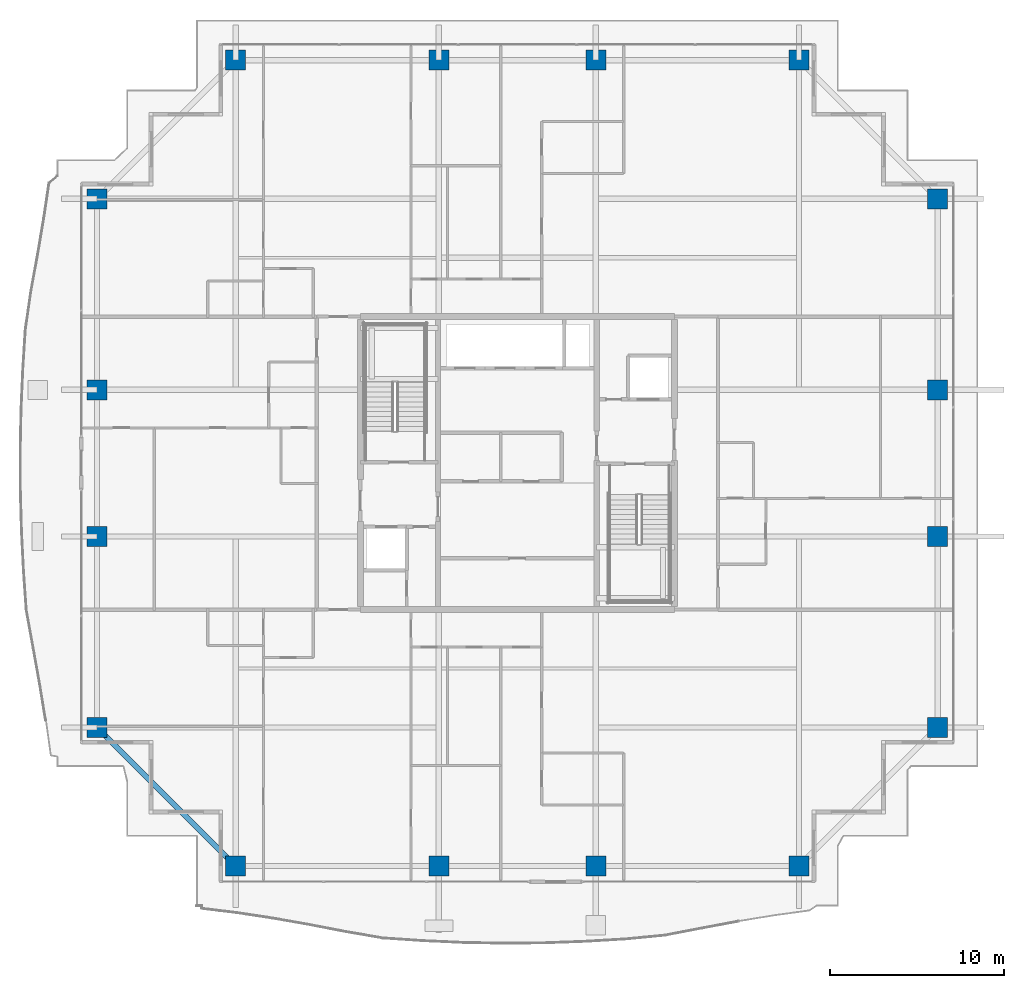
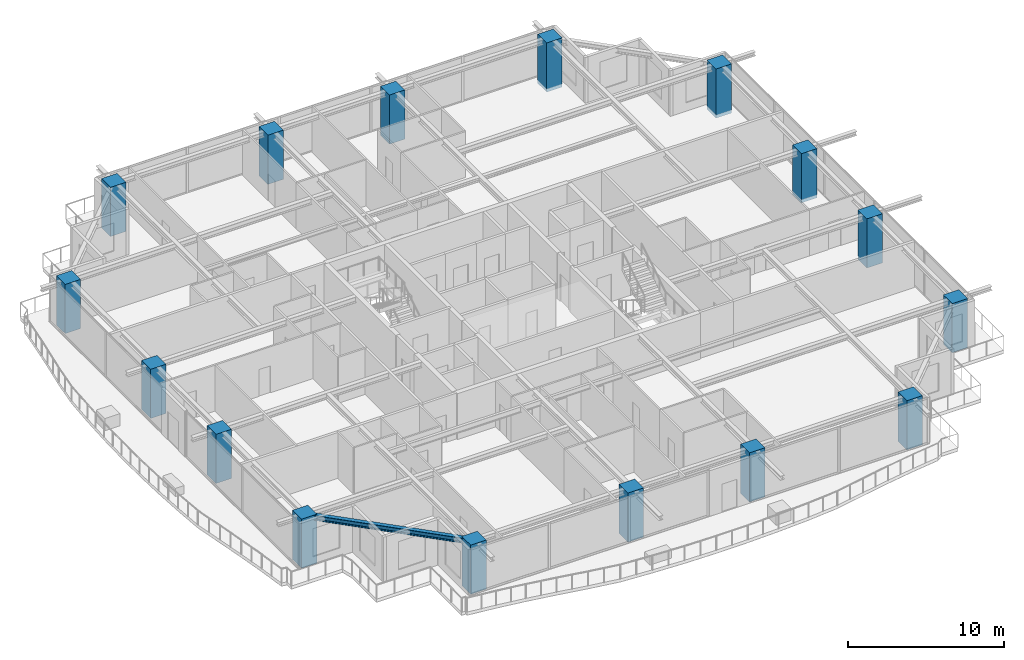
# One storey, part 1 of 36: 16 columns, 1 beam.
"""IFC4 building model written with IfcOpenShell, lengths in metres."""

from ifc_helpers import new_model, si_unit, direction, frame, origin, origin_2d, place, context, subcontext, project, spatial, rectangle, i_section, extrude, source, transform, mapped, material, material_profile, profile_set, type_object, element, save


model = new_model("IFC4")

# Units and contexts
model_context = context("Model", 3, precision=1e-05, world=origin(), true_north=direction((0.0, 1.0)))
body_context = subcontext(model_context, "Body", "Model", "MODEL_VIEW")
ifc_project = project(units=[si_unit("LENGTHUNIT", "METRE"), si_unit("AREAUNIT", "SQUARE_METRE"), si_unit("VOLUMEUNIT", "CUBIC_METRE"), si_unit("PLANEANGLEUNIT", "RADIAN"), si_unit("MASSUNIT", "GRAM", prefix="KILO")], contexts=[model_context])

# Site, building, storey
site_placement = place(None, origin())
site = spatial("IfcSite", under=ifc_project, at=site_placement, CompositionType="ELEMENT")
building_placement = place(site_placement, origin())
building = spatial("IfcBuilding", under=site, at=building_placement, Name="Serunith Strait Residences", CompositionType="ELEMENT")
storey_placement = place(building_placement, frame((0.0, 0.0, 225.85009765625)))
storey = spatial("IfcBuildingStorey", under=building, at=storey_placement, Name="L56", CompositionType="ELEMENT", Elevation=225.85009765625)

# Columns
ifc_material_1 = material(Name="Concrete C80/95", Category="concrete")
ifc_material_profile_1 = material_profile(ifc_material_1, rectangle(XDim=1.14990234375, YDim=1.14990234375, at=origin_2d()), Name="RC 1150x1150")
ifc_profile_set_1 = profile_set([ifc_material_profile_1], Name="Concrete C80/95")
column_type = type_object("IfcColumnType", Name="COL-RC-1150", PredefinedType="COLUMN", material=ifc_profile_set_1)
shared_shape_1 = source(origin(), body_context, "Body", "SweptSolid", [
    extrude(rectangle(XDim=1.14990234375, YDim=1.14990234375, at=origin_2d()), origin(), (0.0, 0.0, 1.0), 3.849853515625),
])
for number, where, z_axis, x_axis, name in (
    (1, (16.25, 2.10009765625, -0.260009765625), (0.0, 0.0, 1.0), (1.0, 0.0, 0.0), "L56 Tower Mega-Column TC-S1"),
    (2, (27.89990234375, 2.10009765625, -0.260009765625), (0.0, 0.0, 1.0), (1.0, 0.0, 0.0), "L56 Tower Mega-Column TC-S2"),
    (3, (36.89990234375, 2.10009765625, -0.260009765625), (0.0, 0.0, 1.0), (1.0, 0.0, 0.0), "L56 Tower Mega-Column TC-S3"),
    (4, (48.550048828125, 2.10009765625, -0.260009765625), (0.0, 0.0, 1.0), (1.0, 0.0, 0.0), "L56 Tower Mega-Column TC-S4"),
    (5, (16.25, 48.300048828125, -0.260009765625), (0.0, 0.0, 1.0), (1.0, 0.0, 0.0), "L56 Tower Mega-Column TC-N1"),
    (6, (27.89990234375, 48.300048828125, -0.260009765625), (0.0, 0.0, 1.0), (1.0, 0.0, 0.0), "L56 Tower Mega-Column TC-N2"),
    (7, (36.89990234375, 48.300048828125, -0.260009765625), (0.0, 0.0, 1.0), (1.0, 0.0, 0.0), "L56 Tower Mega-Column TC-N3"),
    (8, (48.550048828125, 48.300048828125, -0.260009765625), (0.0, 0.0, 1.0), (1.0, 0.0, 0.0), "L56 Tower Mega-Column TC-N4"),
    (9, (56.5, 10.050048828125, -0.260009765625), (0.0, 0.0, 1.0), (1.0, 0.0, 0.0), "L56 Tower Mega-Column TC-E1"),
    (10, (56.5, 21.0, -0.260009765625), (0.0, 0.0, 1.0), (1.0, 0.0, 0.0), "L56 Tower Mega-Column TC-E2"),
    (11, (56.5, 29.39990234375, -0.260009765625), (0.0, 0.0, 1.0), (1.0, 0.0, 0.0), "L56 Tower Mega-Column TC-E3"),
    (12, (56.5, 40.35009765625, -0.260009765625), (0.0, 0.0, 1.0), (1.0, 0.0, 0.0), "L56 Tower Mega-Column TC-E4"),
    (13, (8.300048828125, 10.050048828125, -0.260009765625), (0.0, 0.0, 1.0), (1.0, 0.0, 0.0), "L56 Tower Mega-Column TC-W1"),
    (14, (8.300048828125, 21.0, -0.260009765625), (0.0, 0.0, 1.0), (1.0, 0.0, 0.0), "L56 Tower Mega-Column TC-W2"),
    (15, (8.300048828125, 29.39990234375, -0.260009765625), (0.0, 0.0, 1.0), (1.0, 0.0, 0.0), "L56 Tower Mega-Column TC-W3"),
    (16, (8.300048828125, 40.35009765625, -0.260009765625), (0.0, 0.0, 1.0), (1.0, 0.0, 0.0), "L56 Tower Mega-Column TC-W4"),
):
    element("IfcColumn", number, at=place(storey_placement, frame(where, z_axis=z_axis, x_axis=x_axis)), inside=storey, type_object=column_type, Name=name, PredefinedType="COLUMN", context=body_context, shape_type="MappedRepresentation", body=[
        mapped(shared_shape_1, transform((0.0, 0.0, 0.0), scale=1.0)),
    ])

# Beam
ifc_material_2 = material(Name="Steel S355J2", Category="steel")
ifc_material_profile_2 = material_profile(ifc_material_2, i_section(OverallWidth=0.300048828125, OverallDepth=0.39990234375, WebThickness=0.013427734375, FlangeThickness=0.02392578125, FilletRadius=0.027099609375, at=origin_2d()), Name="HEB 400")
ifc_profile_set_2 = profile_set([ifc_material_profile_2], Name="Steel S355J2")
beam_type = type_object("IfcBeamType", Name="BM-HEB400", PredefinedType="BEAM", material=ifc_profile_set_2)
shared_shape_2 = source(origin(), body_context, "Body", "SweptSolid", [
    extrude(i_section(OverallWidth=0.300048828125, OverallDepth=0.39990234375, WebThickness=0.013427734375, FlangeThickness=0.02392578125, FilletRadius=0.027099609375, at=origin_2d()), origin(), (0.0, 0.0, 1.0), 11.242919921875),
])
beam_placement = place(storey_placement, frame((8.300048828125, 10.050048828125, 3.35693359375), z_axis=(0.707106781187, -0.707106781187, 0.0), x_axis=(0.707106781187, 0.707106781187, 0.0)))
element("IfcBeam", 17, at=beam_placement, inside=storey, type_object=beam_type, Name="L56 Perimeter Ring Beam 16", PredefinedType="BEAM", context=body_context, shape_type="MappedRepresentation", body=[
    mapped(shared_shape_2, transform((0.0, 0.0, 0.0), scale=1.0)),
])

save(model, "model.ifc")
